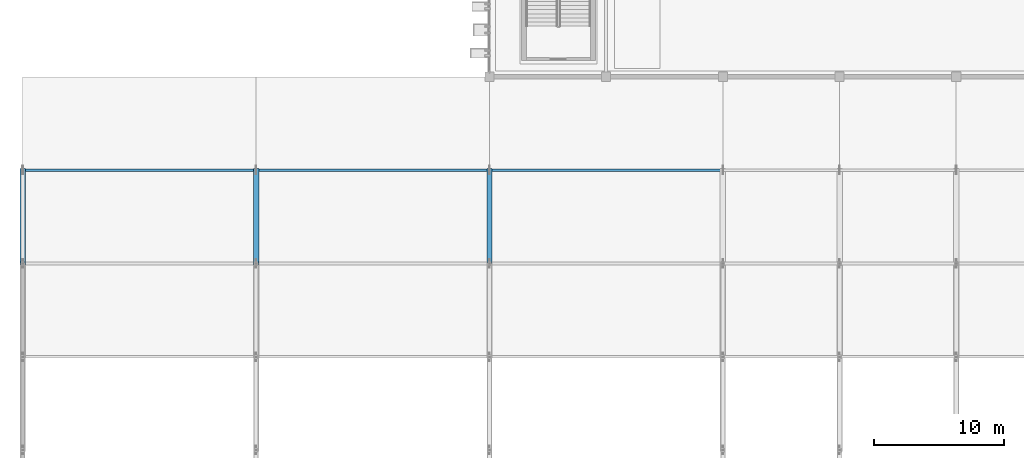
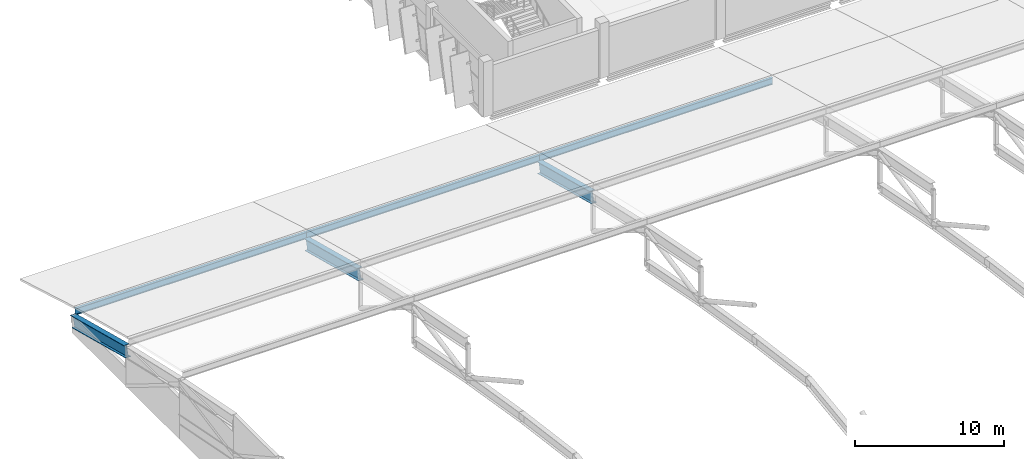
# One storey, part 27 of 124: 6 members.
"""IFC4 building model written with IfcOpenShell, lengths in metres."""

from ifc_helpers import new_model, si_unit, direction, frame, origin, origin_2d, place, context, subcontext, project, spatial, i_section, extrude, material, material_profile, profile_set, type_object, element, save


model = new_model("IFC4")

# Units and contexts
model_context = context("Model", 3, precision=1e-05, world=origin(), true_north=direction((0.0, 1.0)))
body_context = subcontext(model_context, "Body", "Model", "MODEL_VIEW")
ifc_project = project(units=[si_unit("LENGTHUNIT", "METRE"), si_unit("AREAUNIT", "SQUARE_METRE"), si_unit("VOLUMEUNIT", "CUBIC_METRE"), si_unit("PLANEANGLEUNIT", "RADIAN"), si_unit("MASSUNIT", "GRAM", prefix="KILO")], contexts=[model_context])

# Site, building, storey
site_placement = place(None, origin())
site = spatial("IfcSite", under=ifc_project, at=site_placement, CompositionType="ELEMENT")
building_placement = place(site_placement, origin())
building = spatial("IfcBuilding", under=site, at=building_placement, Name="Celestram Park Convention Centre", CompositionType="ELEMENT")
storey_placement = place(building_placement, frame((0.0, 0.0, 15.300048828125)))
storey = spatial("IfcBuildingStorey", under=building, at=storey_placement, Name="L03", CompositionType="ELEMENT", Elevation=15.300048828125)

# Members
ifc_material = material(Name="Steel ASTM A992 Grade 50", Category="steel")
ifc_material_profile_1 = material_profile(ifc_material, i_section(OverallWidth=0.4189453125, OverallDepth=0.927001953125, WebThickness=0.019287109375, FlangeThickness=0.031982421875, at=origin_2d()), Name="W36X231")
ifc_profile_set_1 = profile_set([ifc_material_profile_1], Name="Steel ASTM A992 Grade 50")
member_type_1 = type_object("IfcMemberType", Name="STR-CHD-W36X231", PredefinedType="CHORD", material=ifc_profile_set_1)
for number, where, z_axis, x_axis, name in (
    (1, (0.0, 93.60009765625, 1.9150390625), (0.0, 0.967619711376, -0.252412547544), (-1.0, 0.0, 0.0), "V1 arch top chord"),
    (2, (18.0, 93.60009765625, 1.9150390625), (0.0, 0.967619711376, -0.252412547544), (-1.0, 0.0, 0.0), "V1 arch top chord"),
    (3, (36.0, 93.60009765625, 1.9150390625), (0.0, 0.967619711376, -0.252412547544), (-1.0, 0.0, 0.0), "V1 arch top chord"),
):
    element("IfcMember", number, at=place(storey_placement, frame(where, z_axis=z_axis, x_axis=x_axis)), inside=storey, type_object=member_type_1, Name=name, PredefinedType="CHORD", context=body_context, shape_type="SweptSolid", body=[
        extrude(i_section(OverallWidth=0.4189453125, OverallDepth=0.927001953125, WebThickness=0.019287109375, FlangeThickness=0.031982421875, at=origin_2d()), origin(), (0.0, 0.0, 1.0), 7.44091796875),
    ])
ifc_material_profile_2 = material_profile(ifc_material, i_section(OverallWidth=0.2099609375, OverallDepth=0.532958984375, WebThickness=0.01025390625, FlangeThickness=0.015625, at=origin_2d()), Name="W21X62")
ifc_profile_set_2 = profile_set([ifc_material_profile_2], Name="Steel ASTM A992 Grade 50")
member_type_2 = type_object("IfcMemberType", Name="STR-RFT-W21X62", PredefinedType="RAFTER", material=ifc_profile_set_2)
member_placement = place(storey_placement, frame((0.080078125, 100.800048828125, 0.766845703125), z_axis=(1.0, 0.0, 0.0), x_axis=(0.0, 1.0, 0.0)))
element("IfcMember", 4, at=member_placement, inside=storey, type_object=member_type_2, Name="V1 roof purlin", PredefinedType="RAFTER", context=body_context, shape_type="SweptSolid", body=[
    extrude(i_section(OverallWidth=0.2099609375, OverallDepth=0.532958984375, WebThickness=0.01025390625, FlangeThickness=0.015625, at=origin_2d()), origin(), (0.0, 0.0, 1.0), 17.919921875),
])
for number, where, z_axis, x_axis, name in (
    (5, (18.0, 100.800048828125, 0.766845703125), (1.0, 0.0, 0.0), (0.0, 1.0, 0.0), "V1 roof purlin"),
    (6, (36.0, 100.800048828125, 0.766845703125), (1.0, 0.0, 0.0), (0.0, 1.0, 0.0), "V1 roof purlin"),
):
    element("IfcMember", number, at=place(storey_placement, frame(where, z_axis=z_axis, x_axis=x_axis)), inside=storey, type_object=member_type_2, Name=name, PredefinedType="RAFTER", context=body_context, shape_type="SweptSolid", body=[
        extrude(i_section(OverallWidth=0.2099609375, OverallDepth=0.532958984375, WebThickness=0.01025390625, FlangeThickness=0.015625, at=origin_2d()), origin(), (0.0, 0.0, 1.0), 18.0),
    ])

save(model, "model.ifc")
